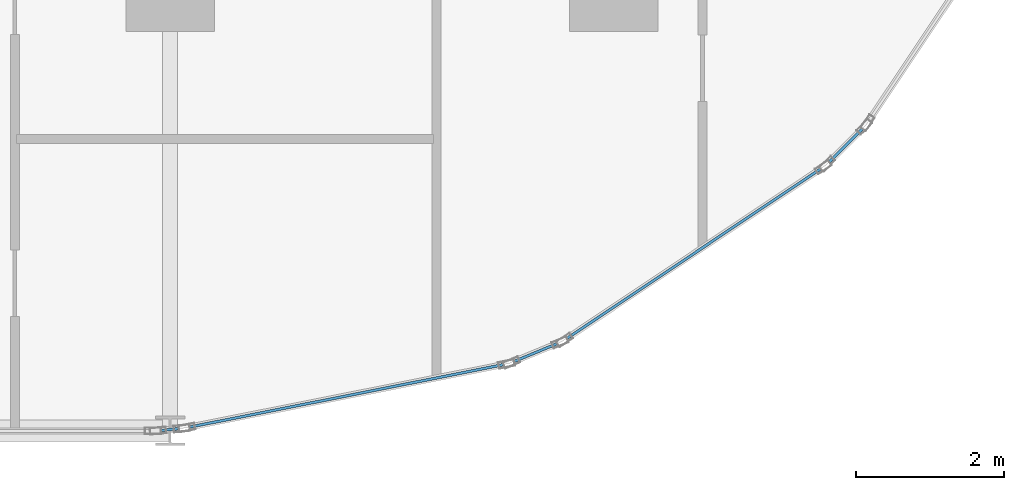
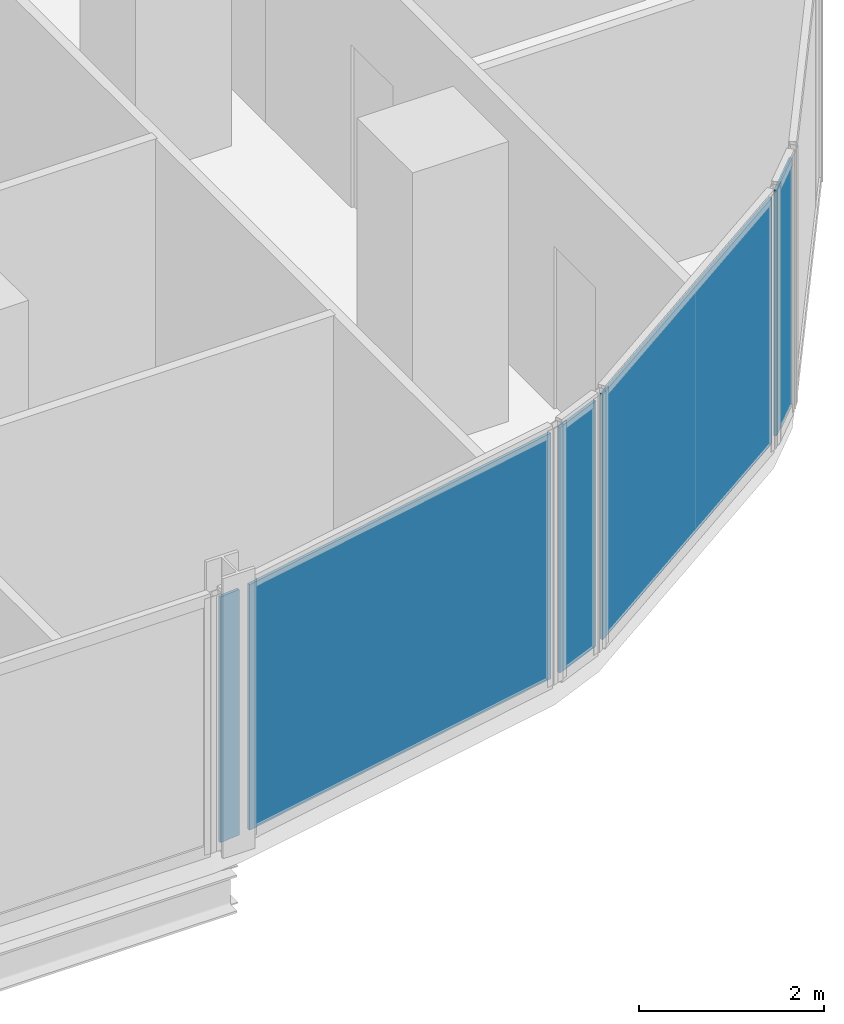
# One storey, part 22 of 33: 5 plates, 5 elements without a shape of their own.
"""IFC4 building model written with IfcOpenShell, lengths in metres."""

import ifcopenshell
import ifcopenshell.guid

model = None  # the IFC model being written
_history = None  # IfcOwnerHistory: only IFC2X3 demands one
_inside = {}  # id of a spatial element -> (the spatial element, [elements in it])
_under = {}  # id of a project, library or spatial element -> (it, [spatial elements below it])
_declared = {}  # id of a project -> (the project, [libraries it declares])
_typed = {}  # id of a type object -> (the type object, [elements of that type])
_made_of = {}  # id of a material, layer set ... -> (it, [elements and type objects made of it])


def new_model(schema):
    """Start an empty IFC model of exactly this schema.

    Asked for "IFC4X3", IfcOpenShell would pick the latest addendum, in which some entities
    have other attributes; the version numbers below select the first issue.
    IFC2X3 requires an IfcOwnerHistory on every rooted entity: one is made here for all.
    """
    global model, _history
    if schema == "IFC4X3":
        model = ifcopenshell.file(schema_version=(4, 3, 0, 0))
    else:
        model = ifcopenshell.file(schema=schema)
    _inside.clear()
    _under.clear()
    _declared.clear()
    _typed.clear()
    _made_of.clear()
    _history = None
    if model.schema == "IFC2X3":
        org = make("IfcOrganization", Name="unknown")
        user = make(
            "IfcPersonAndOrganization",
            ThePerson=make("IfcPerson", FamilyName="unknown"),
            TheOrganization=org,
        )
        app = make(
            "IfcApplication",
            ApplicationDeveloper=org,
            Version="unknown",
            ApplicationFullName="unknown",
            ApplicationIdentifier="unknown",
        )
        _history = make(
            "IfcOwnerHistory",
            OwningUser=user,
            OwningApplication=app,
            ChangeAction="ADDED",
            CreationDate=0,
        )
    return model


def make(cls, **values):
    """One entity of the class cls with the attributes given. An attribute that is None is left unset."""
    return model.create_entity(
        cls, **{name: value for name, value in values.items() if value is not None}
    )


def rooted(cls, **values):
    """An entity with a GlobalId (a new one), such as an element, a storey or a relation."""
    return make(cls, GlobalId=ifcopenshell.guid.new(), OwnerHistory=_history, **values)


def si_unit(unit_type, name, prefix=None):
    """IfcSIUnit, for example si_unit("LENGTHUNIT", "METRE", prefix="MILLI")."""
    return make("IfcSIUnit", UnitType=unit_type, Prefix=prefix, Name=name)


def assignment(units):
    """IfcUnitAssignment: the units of a project."""
    return None if units is None else make("IfcUnitAssignment", Units=units)


def point(xyz):
    """IfcCartesianPoint."""
    return None if xyz is None else make("IfcCartesianPoint", Coordinates=xyz)


def direction(xyz):
    """IfcDirection."""
    return None if xyz is None else make("IfcDirection", DirectionRatios=xyz)


def frame(location, z_axis=None, x_axis=None):
    """IfcAxis2Placement3D, a coordinate frame: its origin and axes. An axis left out is left unset."""
    return make(
        "IfcAxis2Placement3D",
        Location=point(location),
        Axis=direction(z_axis),
        RefDirection=direction(x_axis),
    )


def frame_2d(location, x_axis=None):
    """IfcAxis2Placement2D, a coordinate frame in the plane: its origin and x axis."""
    return make(
        "IfcAxis2Placement2D", Location=point(location), RefDirection=direction(x_axis)
    )


def origin():
    """The frame at (0, 0, 0) with its axes left unset."""
    return frame((0.0, 0.0, 0.0))


def origin_2d():
    """The frame at (0, 0) in the plane with its x axis left unset."""
    return frame_2d((0.0, 0.0))


def place(relative_to, where):
    """IfcLocalPlacement: puts the frame where relative to a parent placement (None: the world)."""
    return make(
        "IfcLocalPlacement", PlacementRelTo=relative_to, RelativePlacement=where
    )


def context(
    kind, dimensions, precision=None, world=None, true_north=None, identifier=None
):
    """IfcGeometricRepresentationContext, for example the 3D "Model" context."""
    return make(
        "IfcGeometricRepresentationContext",
        ContextIdentifier=identifier,
        ContextType=kind,
        CoordinateSpaceDimension=dimensions,
        Precision=precision,
        WorldCoordinateSystem=world,
        TrueNorth=true_north,
    )


def subcontext(parent, identifier, kind, view, scale=None):
    """IfcGeometricRepresentationSubContext, for example "Body" below "Model"."""
    return make(
        "IfcGeometricRepresentationSubContext",
        ContextIdentifier=identifier,
        ContextType=kind,
        ParentContext=parent,
        TargetScale=scale,
        TargetView=view,
    )


def project(units=None, contexts=None):
    """IfcProject with its units and contexts."""
    return rooted(
        "IfcProject",
        Name="project",
        RepresentationContexts=contexts,
        UnitsInContext=assignment(units),
    )


def spatial(cls, under=None, at=None, **own):
    """A site, building, storey or space (cls), placed at a placement, below another one or the project."""
    s = rooted(cls, ObjectPlacement=at, **own)
    if under is not None:
        _under.setdefault(under.id(), (under, []))[1].append(s)
    return s


def profile(cls, at=None, kind="AREA", **sizes):
    """A parametric profile (cls). Its sizes go by their IFC names, for example OverallWidth=200.0."""
    return make(cls, ProfileType=kind, Position=at, **sizes)


def rectangle(**sizes):
    """IfcRectangleProfileDef."""
    return profile("IfcRectangleProfileDef", **sizes)


def extrude(swept, where, along, depth):
    """IfcExtrudedAreaSolid: the profile swept, set in the frame where, extruded along a direction by depth."""
    return make(
        "IfcExtrudedAreaSolid",
        SweptArea=swept,
        Position=where,
        ExtrudedDirection=direction(along),
        Depth=depth,
    )


def shape(context_of_items, identifier, shape_type, items):
    """IfcShapeRepresentation: the items that make up one representation, for example the "Body"."""
    return make(
        "IfcShapeRepresentation",
        ContextOfItems=context_of_items,
        RepresentationIdentifier=identifier,
        RepresentationType=shape_type,
        Items=items,
    )


def material(Name=None, Category=None):
    """IfcMaterial."""
    return make("IfcMaterial", Name=Name, Category=Category)


def layer(
    of_material, thickness, ventilated=None, Name=None, Category=None, Priority=None
):
    """IfcMaterialLayer: one layer of a wall or slab, of a material (None: an air gap)."""
    return make(
        "IfcMaterialLayer",
        Material=of_material,
        LayerThickness=thickness,
        IsVentilated=ventilated,
        Name=Name,
        Category=Category,
        Priority=Priority,
    )


def layer_set(layers, Name=None):
    """IfcMaterialLayerSet."""
    return make("IfcMaterialLayerSet", MaterialLayers=layers, LayerSetName=Name)


def made_of(thing, what):
    """Note that an element or type object is made of a material, layer set ...; save() writes the relation."""
    if what is not None:
        _made_of.setdefault(what.id(), (what, []))[1].append(thing)
    return thing


def type_object(cls, material=None, **own):
    """A type object (cls), such as IfcWallType, which elements share."""
    return made_of(rooted(cls, **own), material)


def element(
    cls,
    number,
    at=None,
    inside=None,
    cuts=None,
    type_object=None,
    material=None,
    context=None,
    identifier="Body",
    shape_type=None,
    held_by="IfcProductDefinitionShape",
    body=None,
    shapes=None,
    **own,
):
    """One element of the class cls, such as IfcWall. Its Tag is "e" and its number.

    at: its placement. inside: the storey or other place that contains it. cuts: it is an
    opening in that element (IfcRelVoidsElement). A single representation is given by context,
    identifier, shape_type and body (its items); several are given by shapes. held_by: the class
    of the entity that holds the representations. save() writes the other relations.
    """
    e = rooted(cls, Tag="e%d" % number, ObjectPlacement=at, **own)
    if body is not None:
        shapes = [shape(context, identifier, shape_type, body)]
    if shapes is not None:
        e.Representation = make(held_by, Representations=shapes)
    if inside is not None:
        _inside.setdefault(inside.id(), (inside, []))[1].append(e)
    if cuts is not None:
        rooted(
            "IfcRelVoidsElement", RelatingBuildingElement=cuts, RelatedOpeningElement=e
        )
    if type_object is not None:
        _typed.setdefault(type_object.id(), (type_object, []))[1].append(e)
    return made_of(e, material)


def aggregate(whole, parts):
    """IfcRelAggregates: a whole, such as a stair, and the parts it consists of."""
    return rooted("IfcRelAggregates", RelatingObject=whole, RelatedObjects=parts)


def save(model, path):
    """Write the relations noted so far, then the file.

    IfcRelAggregates (storeys below a building ...), IfcRelContainedInSpatialStructure (elements
    in a storey), IfcRelDefinesByType, IfcRelAssociatesMaterial and IfcRelDeclares: one each for
    every whole, place, type object, material and project.
    """
    for whole, parts in _under.values():
        aggregate(whole, parts)
    for where, things in _inside.values():
        rooted(
            "IfcRelContainedInSpatialStructure",
            RelatedElements=things,
            RelatingStructure=where,
        )
    for kind, things in _typed.values():
        rooted("IfcRelDefinesByType", RelatedObjects=things, RelatingType=kind)
    for what, things in _made_of.values():
        rooted("IfcRelAssociatesMaterial", RelatedObjects=things, RelatingMaterial=what)
    for by, libraries in _declared.values():
        rooted("IfcRelDeclares", RelatingContext=by, RelatedDefinitions=libraries)
    model.write(path)


model = new_model("IFC4")

# Units and contexts
model_context = context("Model", 3, precision=1e-05, world=origin(), true_north=direction((0.0, 1.0)))
body_context = subcontext(model_context, "Body", "Model", "MODEL_VIEW")
ifc_project = project(units=[si_unit("LENGTHUNIT", "METRE"), si_unit("AREAUNIT", "SQUARE_METRE"), si_unit("VOLUMEUNIT", "CUBIC_METRE"), si_unit("PLANEANGLEUNIT", "RADIAN"), si_unit("MASSUNIT", "GRAM", prefix="KILO")], contexts=[model_context])

# Site, building, storey
site_placement = place(None, origin())
site = spatial("IfcSite", under=ifc_project, at=site_placement, CompositionType="ELEMENT")
building_placement = place(site_placement, origin())
building = spatial("IfcBuilding", under=site, at=building_placement, Name="Keshet Zoharim Tower", CompositionType="ELEMENT")
storey_placement = place(building_placement, frame((0.0, 0.0, 73.800048828125)))
storey = spatial("IfcBuildingStorey", under=building, at=storey_placement, Name="L17", CompositionType="ELEMENT", Elevation=73.800048828125)

# Curtain wall, plate
ifc_material_1 = material(Name="Aluminium 6063-T6", Category="aluminium")
ifc_layer_1 = layer(ifc_material_1, 0.179931640625)
ifc_layer_set_1 = layer_set([ifc_layer_1], Name="Aluminium 6063-T6")
curtain_wall_type = type_object("IfcCurtainWallType", Name="CW-SYS-01", PredefinedType="NOTDEFINED", material=ifc_layer_set_1)
curtain_wall_1_placement = place(storey_placement, origin())
curtain_wall_1 = element("IfcCurtainWall", 1, at=curtain_wall_1_placement, inside=storey, type_object=curtain_wall_type, Name="L17 Unitised Curtain Wall 21", PredefinedType="NOTDEFINED")
ifc_material_2 = material(Name="Insulated Low-E Clear Glass", Category="glass")
ifc_layer_2 = layer(ifc_material_2, 0.035888671875)
ifc_layer_set_2 = layer_set([ifc_layer_2], Name="Insulated Low-E Clear Glass")
plate_type = type_object("IfcPlateType", Name="CWP-01", PredefinedType="CURTAIN_PANEL", material=ifc_layer_set_2)
plate_1_placement = place(storey_placement, frame((66.137451171875, 4.5625, 0.06982421875), z_axis=(0.0, 0.0, 1.0), x_axis=(-0.707106781187, -0.707106781187, 0.0)))
plate_1 = element("IfcPlate", 2, at=plate_1_placement, type_object=plate_type, Name="CW-01 panel 1.1", PredefinedType="CURTAIN_PANEL", context=body_context, shape_type="SweptSolid", body=[
    extrude(rectangle(XDim=0.63916015625, YDim=0.035888671875, at=origin_2d()), origin(), (0.0, 0.0, 1.0), 3.2451171875),
])
aggregate(curtain_wall_1, [plate_1])

curtain_wall_2_placement = place(storey_placement, origin())
curtain_wall_2 = element("IfcCurtainWall", 3, at=curtain_wall_2_placement, inside=storey, type_object=curtain_wall_type, Name="L17 Unitised Curtain Wall 22", PredefinedType="NOTDEFINED")
plate_2_placement = place(storey_placement, frame((64.083984375, 3.09912109375, 0.06982421875), z_axis=(0.0, 0.0, 1.0), x_axis=(-0.831474282335, -0.555563243758, 0.0)))
plate_2 = element("IfcPlate", 4, at=plate_2_placement, type_object=plate_type, Name="CW-01 panel 1.1", PredefinedType="CURTAIN_PANEL", context=body_context, shape_type="SweptSolid", body=[
    extrude(rectangle(XDim=4.13671875, YDim=0.035888671875, at=origin_2d()), origin(), (0.0, 0.0, 1.0), 3.2451171875),
])
aggregate(curtain_wall_2, [plate_2])

curtain_wall_3_placement = place(storey_placement, origin())
curtain_wall_3 = element("IfcCurtainWall", 5, at=curtain_wall_3_placement, inside=storey, type_object=curtain_wall_type, Name="L17 Unitised Curtain Wall 23", PredefinedType="NOTDEFINED")
plate_3_placement = place(storey_placement, frame((61.945556640625, 1.761474609375, 0.06982421875), z_axis=(0.0, 0.0, 1.0), x_axis=(-0.923720000557, -0.383068349739, 0.0)))
plate_3 = element("IfcPlate", 6, at=plate_3_placement, type_object=plate_type, Name="CW-01 panel 1.1", PredefinedType="CURTAIN_PANEL", context=body_context, shape_type="SweptSolid", body=[
    extrude(rectangle(XDim=0.640625, YDim=0.035888671875, at=origin_2d()), origin(), (0.0, 0.0, 1.0), 3.2451171875),
])
aggregate(curtain_wall_3, [plate_3])

curtain_wall_4_placement = place(storey_placement, origin())
curtain_wall_4 = element("IfcCurtainWall", 7, at=curtain_wall_4_placement, inside=storey, type_object=curtain_wall_type, Name="L17 Unitised Curtain Wall 24", PredefinedType="NOTDEFINED")
plate_4_placement = place(storey_placement, frame((59.388916015625, 1.175048828125, 0.06982421875), z_axis=(0.0, 0.0, 1.0), x_axis=(-0.98076917357, -0.195171279072, 0.0)))
plate_4 = element("IfcPlate", 8, at=plate_4_placement, type_object=plate_type, Name="CW-01 panel 1.1", PredefinedType="CURTAIN_PANEL", context=body_context, shape_type="SweptSolid", body=[
    extrude(rectangle(XDim=4.338134765625, YDim=0.035888671875, at=origin_2d()), origin(), (0.0, 0.0, 1.0), 3.2451171875),
])
aggregate(curtain_wall_4, [plate_4])

curtain_wall_5_placement = place(storey_placement, origin())
curtain_wall_5 = element("IfcCurtainWall", 9, at=curtain_wall_5_placement, inside=storey, type_object=curtain_wall_type, Name="L17 Unitised Curtain Wall 25", PredefinedType="NOTDEFINED")
plate_5_placement = place(storey_placement, frame((56.998046875, 0.718994140625, 0.06982421875), z_axis=(0.0, 0.0, 1.0), x_axis=(-0.995286657009, -0.096976648633, 0.0)))
plate_5 = element("IfcPlate", 10, at=plate_5_placement, type_object=plate_type, Name="CW-01 panel 1.1", PredefinedType="CURTAIN_PANEL", context=body_context, shape_type="SweptSolid", body=[
    extrude(rectangle(XDim=0.251953125, YDim=0.035888671875, at=origin_2d()), origin(), (0.0, 0.0, 1.0), 3.2451171875),
])
aggregate(curtain_wall_5, [plate_5])

save(model, "model.ifc")
